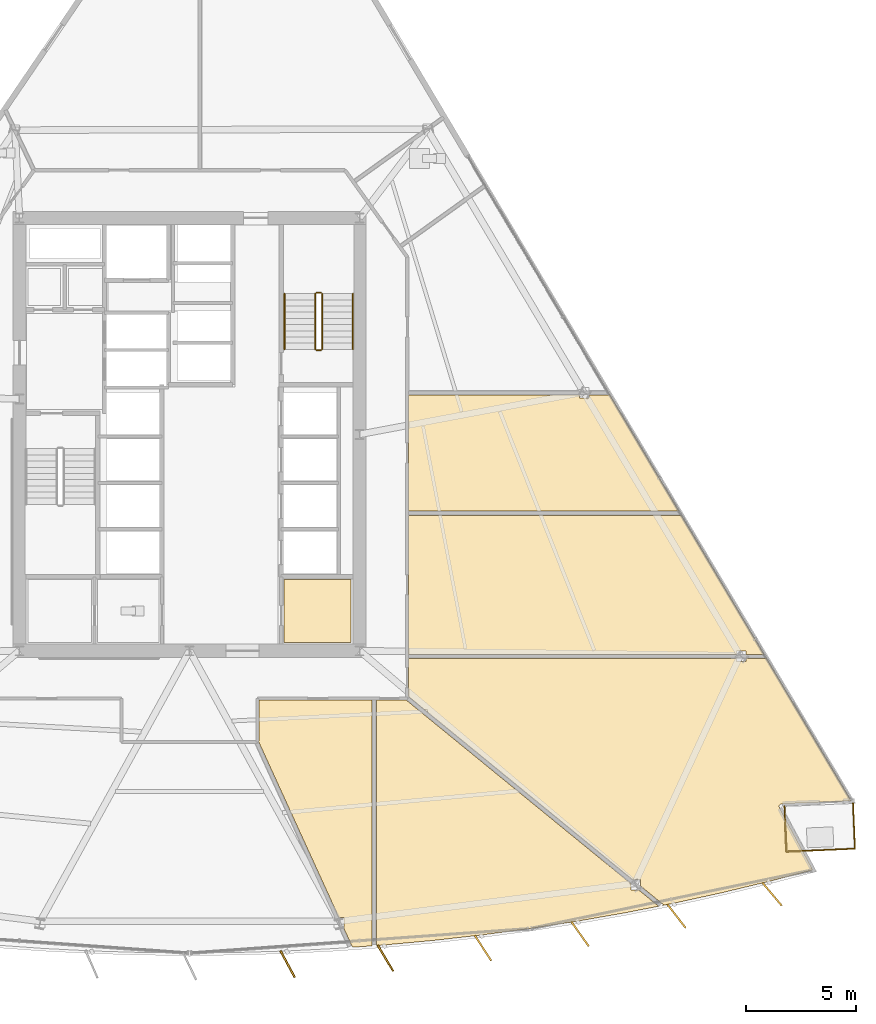
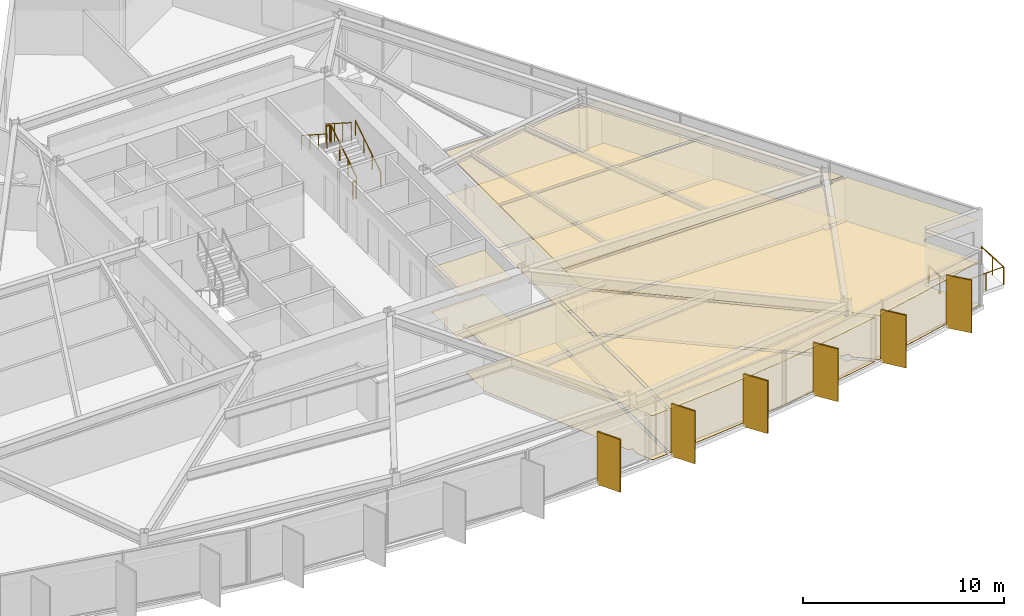
# One storey, part 14 of 16: 12 coverings, 9 railings, 6 shading devices.
"""IFC4 building model written with IfcOpenShell, lengths in metres."""

from ifc_helpers import new_model, si_unit, direction, frame, origin, origin_2d, place, context, subcontext, project, spatial, polyline, rectangle, circle, outline, extrude, material, layer, layer_set, type_object, element, save


model = new_model("IFC4")

# Units and contexts
model_context = context("Model", 3, precision=1e-05, world=origin(), true_north=direction((0.0, 1.0)))
body_context = subcontext(model_context, "Body", "Model", "MODEL_VIEW")
ifc_project = project(units=[si_unit("LENGTHUNIT", "METRE"), si_unit("AREAUNIT", "SQUARE_METRE"), si_unit("VOLUMEUNIT", "CUBIC_METRE"), si_unit("PLANEANGLEUNIT", "RADIAN"), si_unit("MASSUNIT", "GRAM", prefix="KILO")], contexts=[model_context])

# Site, building, storey
site_placement = place(None, origin())
site = spatial("IfcSite", under=ifc_project, at=site_placement, CompositionType="ELEMENT")
building_placement = place(site_placement, origin())
building = spatial("IfcBuilding", under=site, at=building_placement, Name="Savorim Split Tower", CompositionType="ELEMENT")
storey_placement = place(building_placement, frame((0.0, 0.0, 33.60009765625)))
storey = spatial("IfcBuildingStorey", under=building, at=storey_placement, Name="L08", CompositionType="ELEMENT", Elevation=33.60009765625)

# Coverings
ifc_material_1 = material(Name="Mineral Fibre Acoustic Ceiling")
ifc_layer_1 = layer(ifc_material_1, 0.02490234375)
ifc_layer_set_1 = layer_set([ifc_layer_1], Name="COV-CEIL-25")
covering_type_1 = type_object("IfcCoveringType", Name="COV-CEIL-25", PredefinedType="CEILING", material=ifc_layer_set_1)
covering_1_placement = place(storey_placement, frame((0.0, 0.0, 2.669921875)))
element("IfcCovering", 1, at=covering_1_placement, inside=storey, type_object=covering_type_1, Name="L08 Core IT Server Room Acoustic Ceiling", PredefinedType="CEILING", context=body_context, shape_type="SweptSolid", body=[
    extrude(outline(polyline([(4.280029296875, -6.179931640625), (4.280029296875, -9.02001953125), (7.320068359375, -9.02001953125), (7.320068359375, -6.179931640625), (4.280029296875, -6.179931640625)])), origin(), (0.0, 0.0, 1.0), 0.02490234375),
])
covering_2_placement = place(storey_placement, frame((0.0, 0.0, 2.669921875)))
element("IfcCovering", 2, at=covering_2_placement, inside=storey, type_object=covering_type_1, Name="L08 Quiet Study Room Acoustic Ceiling", PredefinedType="CEILING", context=body_context, shape_type="SweptSolid", body=[
    extrude(outline(polyline([(6.980712890625, -21.9482421875), (7.343017578125, -22.741455078125), (7.3798828125, -22.822265625), (8.2705078125, -22.75830078125), (8.2705078125, -11.6201171875), (3.139892578125, -11.6201171875), (3.139892578125, -13.449951171875), (3.139404296875, -13.463623046875), (3.13720703125, -13.477294921875), (3.134033203125, -13.490478515625), (3.12939453125, -13.503662109375), (3.126220703125, -13.510009765625), (6.767578125, -21.482177734375), (6.98779296875, -21.482177734375), (6.98779296875, -21.9482421875), (6.980712890625, -21.9482421875)])), origin(), (0.0, 0.0, 1.0), 0.02490234375),
])
covering_3_placement = place(storey_placement, frame((0.0, 0.0, 2.669921875)))
element("IfcCovering", 3, at=covering_3_placement, inside=storey, type_object=covering_type_1, Name="L08 Co-Working Commons Acoustic Ceiling", PredefinedType="CEILING", context=body_context, shape_type="SweptSolid", body=[
    extrude(outline(polyline([(13.215576171875, -22.267578125), (15.404296875, -21.974853515625), (17.586181640625, -21.63720703125), (19.760986328125, -21.255126953125), (21.239990234375, -20.964111328125), (20.333984375, -20.22412109375), (19.98095703125, -20.22412109375), (19.98095703125, -19.935791015625), (9.827880859375, -11.642333984375), (9.799072265625, -11.618408203125), (9.793701171875, -11.619384765625), (9.780029296875, -11.6201171875), (8.46044921875, -11.6201171875), (8.46044921875, -22.74462890625), (8.82275390625, -22.71875), (11.021484375, -22.515625), (13.215576171875, -22.267578125)])), origin(), (0.0, 0.0, 1.0), 0.02490234375),
])
covering_4_placement = place(storey_placement, frame((0.0, 0.0, 2.669921875)))
element("IfcCovering", 4, at=covering_4_placement, inside=storey, type_object=covering_type_1, Name="L08 Maker Workshop Acoustic Ceiling", PredefinedType="CEILING", context=body_context, shape_type="SweptSolid", body=[
    extrude(outline(polyline([(26.7880859375, -16.331298828125), (26.79931640625, -16.3291015625), (26.810791015625, -16.328125), (29.954345703125, -16.1943359375), (26.1005859375, -9.71337890625), (26.1005859375, -9.74658203125), (25.197265625, -9.74658203125), (25.197265625, -9.884521484375), (24.76123046875, -9.884521484375), (24.76123046875, -9.74658203125), (9.919921875, -9.74658203125), (9.919921875, -11.47216796875), (20.06396484375, -19.758056640625), (20.4169921875, -19.758056640625), (20.4169921875, -20.04638671875), (21.37060546875, -20.825439453125), (21.4443359375, -20.885498046875), (21.4072265625, -20.93115234375), (21.927490234375, -20.82861328125), (24.0849609375, -20.357666015625), (26.232177734375, -19.843017578125), (28.22216796875, -19.322509765625), (26.710205078125, -16.504638671875), (26.705322265625, -16.494384765625), (26.701416015625, -16.4833984375), (26.698486328125, -16.472412109375), (26.69677734375, -16.4609375), (26.696044921875, -16.449462890625), (26.6962890625, -16.437744140625), (26.697998046875, -16.426513671875), (26.70068359375, -16.4150390625), (26.704345703125, -16.404296875), (26.708984375, -16.393798828125), (26.714599609375, -16.383544921875), (26.721435546875, -16.374267578125), (26.72900390625, -16.365478515625), (26.7373046875, -16.357421875), (26.746337890625, -16.350341796875), (26.756103515625, -16.343994140625), (26.766357421875, -16.3388671875), (26.777099609375, -16.33447265625), (26.7880859375, -16.331298828125)])), origin(), (0.0, 0.0, 1.0), 0.02490234375),
])
covering_5_placement = place(storey_placement, frame((0.0, 0.0, 2.669921875)))
element("IfcCovering", 5, at=covering_5_placement, inside=storey, type_object=covering_type_1, Name="L08 Co-Working Commons Acoustic Ceiling", PredefinedType="CEILING", context=body_context, shape_type="SweptSolid", body=[
    extrude(outline(polyline([(25.197265625, -9.41845703125), (25.197265625, -9.556396484375), (26.005615234375, -9.556396484375), (26.00732421875, -9.556396484375), (22.26611328125, -3.264892578125), (9.919921875, -3.264892578125), (9.919921875, -9.556396484375), (24.76123046875, -9.556396484375), (24.76123046875, -9.41845703125), (25.197265625, -9.41845703125)])), origin(), (0.0, 0.0, 1.0), 0.02490234375),
])
covering_6_placement = place(storey_placement, frame((0.0, 0.0, 2.669921875)))
element("IfcCovering", 6, at=covering_6_placement, inside=storey, type_object=covering_type_1, Name="L08 Maker Workshop Acoustic Ceiling", PredefinedType="CEILING", context=body_context, shape_type="SweptSolid", body=[
    extrude(outline(polyline([(17.66162109375, 2.05517578125), (17.66162109375, 2.193115234375), (9.919921875, 2.193115234375), (9.919921875, -3.07470703125), (22.153076171875, -3.07470703125), (19.0009765625, 2.226318359375), (19.0009765625, 2.193115234375), (18.09765625, 2.193115234375), (18.09765625, 2.05517578125), (17.66162109375, 2.05517578125)])), origin(), (0.0, 0.0, 1.0), 0.02490234375),
])
ifc_material_2 = material(Name="Porcelain Stoneware Flooring", Category="masonry")
ifc_layer_2 = layer(ifc_material_2, 0.02001953125)
ifc_layer_set_2 = layer_set([ifc_layer_2], Name="COV-FLOR-20")
covering_type_2 = type_object("IfcCoveringType", Name="COV-FLOR-20", PredefinedType="FLOORING", material=ifc_layer_set_2)
covering_7_placement = place(storey_placement, origin())
element("IfcCovering", 7, at=covering_7_placement, inside=storey, type_object=covering_type_2, Name="L08 Core IT Server Room Porcelain Flooring", PredefinedType="FLOORING", context=body_context, shape_type="SweptSolid", body=[
    extrude(outline(polyline([(4.280029296875, -6.179931640625), (4.280029296875, -9.02001953125), (7.320068359375, -9.02001953125), (7.320068359375, -6.179931640625), (4.280029296875, -6.179931640625)])), origin(), (0.0, 0.0, 1.0), 0.02001953125),
])
covering_8_placement = place(storey_placement, origin())
element("IfcCovering", 8, at=covering_8_placement, inside=storey, type_object=covering_type_2, Name="L08 Quiet Study Room Porcelain Flooring", PredefinedType="FLOORING", context=body_context, shape_type="SweptSolid", body=[
    extrude(outline(polyline([(6.980712890625, -21.9482421875), (7.343017578125, -22.741455078125), (7.3798828125, -22.822265625), (8.2705078125, -22.75830078125), (8.2705078125, -11.6201171875), (3.139892578125, -11.6201171875), (3.139892578125, -13.449951171875), (3.139404296875, -13.463623046875), (3.13720703125, -13.477294921875), (3.134033203125, -13.490478515625), (3.12939453125, -13.503662109375), (3.126220703125, -13.510009765625), (6.767578125, -21.482177734375), (6.98779296875, -21.482177734375), (6.98779296875, -21.9482421875), (6.980712890625, -21.9482421875)])), origin(), (0.0, 0.0, 1.0), 0.02001953125),
])
covering_9_placement = place(storey_placement, origin())
element("IfcCovering", 9, at=covering_9_placement, inside=storey, type_object=covering_type_2, Name="L08 Co-Working Commons Porcelain Flooring", PredefinedType="FLOORING", context=body_context, shape_type="SweptSolid", body=[
    extrude(outline(polyline([(13.215576171875, -22.267578125), (15.404296875, -21.974853515625), (17.586181640625, -21.63720703125), (19.760986328125, -21.255126953125), (21.239990234375, -20.964111328125), (20.333984375, -20.22412109375), (19.98095703125, -20.22412109375), (19.98095703125, -19.935791015625), (9.827880859375, -11.642333984375), (9.799072265625, -11.618408203125), (9.793701171875, -11.619384765625), (9.780029296875, -11.6201171875), (8.46044921875, -11.6201171875), (8.46044921875, -22.74462890625), (8.82275390625, -22.71875), (11.021484375, -22.515625), (13.215576171875, -22.267578125)])), origin(), (0.0, 0.0, 1.0), 0.02001953125),
])
covering_10_placement = place(storey_placement, origin())
element("IfcCovering", 10, at=covering_10_placement, inside=storey, type_object=covering_type_2, Name="L08 Maker Workshop Porcelain Flooring", PredefinedType="FLOORING", context=body_context, shape_type="SweptSolid", body=[
    extrude(outline(polyline([(26.7880859375, -16.331298828125), (26.79931640625, -16.3291015625), (26.810791015625, -16.328125), (29.954345703125, -16.1943359375), (26.1005859375, -9.71337890625), (26.1005859375, -9.74658203125), (25.197265625, -9.74658203125), (25.197265625, -9.884521484375), (24.76123046875, -9.884521484375), (24.76123046875, -9.74658203125), (9.919921875, -9.74658203125), (9.919921875, -11.47216796875), (20.06396484375, -19.758056640625), (20.4169921875, -19.758056640625), (20.4169921875, -20.04638671875), (21.37060546875, -20.825439453125), (21.4443359375, -20.885498046875), (21.4072265625, -20.93115234375), (21.927490234375, -20.82861328125), (24.0849609375, -20.357666015625), (26.232177734375, -19.843017578125), (28.22216796875, -19.322509765625), (26.710205078125, -16.504638671875), (26.705322265625, -16.494384765625), (26.701416015625, -16.4833984375), (26.698486328125, -16.472412109375), (26.69677734375, -16.4609375), (26.696044921875, -16.449462890625), (26.6962890625, -16.437744140625), (26.697998046875, -16.426513671875), (26.70068359375, -16.4150390625), (26.704345703125, -16.404296875), (26.708984375, -16.393798828125), (26.714599609375, -16.383544921875), (26.721435546875, -16.374267578125), (26.72900390625, -16.365478515625), (26.7373046875, -16.357421875), (26.746337890625, -16.350341796875), (26.756103515625, -16.343994140625), (26.766357421875, -16.3388671875), (26.777099609375, -16.33447265625), (26.7880859375, -16.331298828125)])), origin(), (0.0, 0.0, 1.0), 0.02001953125),
])
covering_11_placement = place(storey_placement, origin())
element("IfcCovering", 11, at=covering_11_placement, inside=storey, type_object=covering_type_2, Name="L08 Co-Working Commons Porcelain Flooring", PredefinedType="FLOORING", context=body_context, shape_type="SweptSolid", body=[
    extrude(outline(polyline([(25.197265625, -9.41845703125), (25.197265625, -9.556396484375), (26.005615234375, -9.556396484375), (26.00732421875, -9.556396484375), (22.26611328125, -3.264892578125), (9.919921875, -3.264892578125), (9.919921875, -9.556396484375), (24.76123046875, -9.556396484375), (24.76123046875, -9.41845703125), (25.197265625, -9.41845703125)])), origin(), (0.0, 0.0, 1.0), 0.02001953125),
])
covering_12_placement = place(storey_placement, origin())
element("IfcCovering", 12, at=covering_12_placement, inside=storey, type_object=covering_type_2, Name="L08 Maker Workshop Porcelain Flooring", PredefinedType="FLOORING", context=body_context, shape_type="SweptSolid", body=[
    extrude(outline(polyline([(17.66162109375, 2.05517578125), (17.66162109375, 2.193115234375), (9.919921875, 2.193115234375), (9.919921875, -3.07470703125), (22.153076171875, -3.07470703125), (19.0009765625, 2.226318359375), (19.0009765625, 2.193115234375), (18.09765625, 2.193115234375), (18.09765625, 2.05517578125), (17.66162109375, 2.05517578125)])), origin(), (0.0, 0.0, 1.0), 0.02001953125),
])

# Railings
ifc_material_3 = material(Name="Galvanised Painted Steel Balustrade", Category="steel")
railing_type_1 = type_object("IfcRailingType", Name="RLG-BAL-1100", PredefinedType="BALUSTRADE", material=ifc_material_3)
railing_1_placement = place(storey_placement, frame((30.040283203125, -16.310791015625, 0.0)))
element("IfcRailing", 13, at=railing_1_placement, inside=storey, type_object=railing_type_1, Name="L08 Tree Balcony Guardrail SE-1", PredefinedType="BALUSTRADE", context=body_context, shape_type="SweptSolid", body=[
    extrude(circle(Radius=0.02392578125, at=origin_2d()), frame((0.0, 0.0, 1.076171875), z_axis=(0.042517246, -0.999095733047, 0.0), x_axis=(0.999095733047, 0.042517246, 0.0)), (0.0, 0.0, 1.0), 2.050048828125),
    extrude(circle(Radius=0.02099609375, at=origin_2d()), origin(), (0.0, 0.0, 1.0), 1.052001953125),
    extrude(circle(Radius=0.02099609375, at=origin_2d()), frame((0.04345703125, -1.02392578125, 0.0)), (0.0, 0.0, 1.0), 1.052001953125),
    extrude(circle(Radius=0.02099609375, at=origin_2d()), frame((0.087158203125, -2.048095703125, 0.0)), (0.0, 0.0, 1.0), 1.052001953125),
])
railing_2_placement = place(storey_placement, frame((30.12744140625, -18.35888671875, 0.0)))
element("IfcRailing", 14, at=railing_2_placement, inside=storey, type_object=railing_type_1, Name="L08 Tree Balcony Guardrail SE-2", PredefinedType="BALUSTRADE", context=body_context, shape_type="SweptSolid", body=[
    extrude(circle(Radius=0.02392578125, at=origin_2d()), frame((0.0, 0.0, 1.076171875), z_axis=(-0.99909605371, -0.042509710189, 0.0), x_axis=(0.042509710189, -0.99909605371, 0.0)), (0.0, 0.0, 1.0), 3.107177734375),
    extrude(circle(Radius=0.02099609375, at=origin_2d()), origin(), (0.0, 0.0, 1.0), 1.052001953125),
    extrude(circle(Radius=0.02099609375, at=origin_2d()), frame((-1.03466796875, -0.0439453125, 0.0)), (0.0, 0.0, 1.0), 1.052001953125),
    extrude(circle(Radius=0.02099609375, at=origin_2d()), frame((-2.069580078125, -0.088134765625, 0.0)), (0.0, 0.0, 1.0), 1.052001953125),
    extrude(circle(Radius=0.02099609375, at=origin_2d()), frame((-3.104248046875, -0.132080078125, 0.0)), (0.0, 0.0, 1.0), 1.052001953125),
])
railing_3_placement = place(storey_placement, frame((27.023193359375, -18.490966796875, 0.0)))
element("IfcRailing", 15, at=railing_3_placement, inside=storey, type_object=railing_type_1, Name="L08 Tree Balcony Guardrail SE-3", PredefinedType="BALUSTRADE", context=body_context, shape_type="SweptSolid", body=[
    extrude(circle(Radius=0.02392578125, at=origin_2d()), frame((0.0, 0.0, 1.076171875), z_axis=(-0.042636125732, 0.999090666948, 0.0), x_axis=(-0.999090666948, -0.042636125732, 0.0)), (0.0, 0.0, 1.0), 2.050048828125),
    extrude(circle(Radius=0.02099609375, at=origin_2d()), origin(), (0.0, 0.0, 1.0), 1.052001953125),
    extrude(circle(Radius=0.02099609375, at=origin_2d()), frame((-0.043701171875, 1.02392578125, 0.0)), (0.0, 0.0, 1.0), 1.052001953125),
    extrude(circle(Radius=0.02099609375, at=origin_2d()), frame((-0.08740234375, 2.048095703125, 0.0)), (0.0, 0.0, 1.0), 1.052001953125),
])
railing_type_2 = type_object("IfcRailingType", Name="RLG-HR-900", PredefinedType="HANDRAIL", material=ifc_material_3)
railing_4_placement = place(storey_placement, frame((7.39990234375, 4.25, 0.179931640625)))
element("IfcRailing", 16, at=railing_4_placement, inside=storey, type_object=railing_type_2, Name="L08 ST-2 stair handrail 1", PredefinedType="HANDRAIL", context=body_context, shape_type="SweptSolid", body=[
    extrude(circle(Radius=0.02392578125, at=origin_2d()), frame((0.0, 0.0, 0.8759765625), z_axis=(0.0, 0.841199657755, 0.540724639528), x_axis=(-1.0, 0.0, 0.0)), (0.0, 0.0, 1.0), 2.995849609375),
    extrude(circle(Radius=0.02099609375, at=origin_2d()), origin(), (0.0, 0.0, 1.0), 0.851806640625),
    extrude(circle(Radius=0.02099609375, at=origin_2d()), frame((0.0, 0.840087890625, 0.5400390625)), (0.0, 0.0, 1.0), 0.851806640625),
    extrude(circle(Radius=0.02099609375, at=origin_2d()), frame((0.0, 1.679931640625, 1.079833984375)), (0.0, 0.0, 1.0), 0.851806640625),
    extrude(circle(Radius=0.02099609375, at=origin_2d()), frame((0.0, 2.52001953125, 1.619873046875)), (0.0, 0.0, 1.0), 0.851806640625),
])
railing_5_placement = place(storey_placement, frame((4.300048828125, 6.77001953125, 1.97998046875)))
element("IfcRailing", 17, at=railing_5_placement, inside=storey, type_object=railing_type_2, Name="L08 ST-2 stair handrail 2", PredefinedType="HANDRAIL", context=body_context, shape_type="SweptSolid", body=[
    extrude(circle(Radius=0.02392578125, at=origin_2d()), frame((0.0, 0.0, 0.8759765625), z_axis=(0.0, -0.841199657755, 0.540724639528), x_axis=(1.0, 0.0, 0.0)), (0.0, 0.0, 1.0), 2.995849609375),
    extrude(circle(Radius=0.02099609375, at=origin_2d()), origin(), (0.0, 0.0, 1.0), 0.851806640625),
    extrude(circle(Radius=0.02099609375, at=origin_2d()), frame((0.0, -0.840087890625, 0.5400390625)), (0.0, 0.0, 1.0), 0.851806640625),
    extrude(circle(Radius=0.02099609375, at=origin_2d()), frame((0.0, -1.679931640625, 1.079833984375)), (0.0, 0.0, 1.0), 0.851806640625),
    extrude(circle(Radius=0.02099609375, at=origin_2d()), frame((0.0, -2.52001953125, 1.619873046875)), (0.0, 0.0, 1.0), 0.851806640625),
])
railing_type_3 = type_object("IfcRailingType", Name="RLG-STG-1100", PredefinedType="BALUSTRADE", material=ifc_material_3)
railing_6_placement = place(storey_placement, frame((6.0, 4.25, 0.179931640625)))
element("IfcRailing", 18, at=railing_6_placement, inside=storey, type_object=railing_type_3, Name="L08 ST-2 stair guard 1", PredefinedType="BALUSTRADE", context=body_context, shape_type="SweptSolid", body=[
    extrude(circle(Radius=0.02392578125, at=origin_2d()), frame((0.0, 0.0, 1.076171875), z_axis=(0.0, 0.841199657755, 0.540724639528), x_axis=(-1.0, 0.0, 0.0)), (0.0, 0.0, 1.0), 2.995849609375),
    extrude(circle(Radius=0.02099609375, at=origin_2d()), origin(), (0.0, 0.0, 1.0), 1.052001953125),
    extrude(circle(Radius=0.02099609375, at=origin_2d()), frame((0.0, 0.840087890625, 0.5400390625)), (0.0, 0.0, 1.0), 1.052001953125),
    extrude(circle(Radius=0.02099609375, at=origin_2d()), frame((0.0, 1.679931640625, 1.079833984375)), (0.0, 0.0, 1.0), 1.052001953125),
    extrude(circle(Radius=0.02099609375, at=origin_2d()), frame((0.0, 2.52001953125, 1.619873046875)), (0.0, 0.0, 1.0), 1.052001953125),
])
railing_7_placement = place(storey_placement, frame((5.949951171875, 6.820068359375, 1.7998046875)))
element("IfcRailing", 19, at=railing_7_placement, inside=storey, type_object=railing_type_3, Name="L08 ST-2 stair guard 2", PredefinedType="BALUSTRADE", context=body_context, shape_type="SweptSolid", body=[
    extrude(circle(Radius=0.02392578125, at=origin_2d()), frame((0.0, 0.0, 1.076171875), z_axis=(-1.0, 0.0, 0.0), x_axis=(0.0, -1.0, 0.0)), (0.0, 0.0, 1.0), 0.199951171875),
    extrude(circle(Radius=0.02099609375, at=origin_2d()), origin(), (0.0, 0.0, 1.0), 1.052001953125),
    extrude(circle(Radius=0.02099609375, at=origin_2d()), frame((-0.199951171875, 0.0, 0.0)), (0.0, 0.0, 1.0), 1.052001953125),
])
railing_8_placement = place(storey_placement, frame((5.699951171875, 6.77001953125, 1.97998046875)))
element("IfcRailing", 20, at=railing_8_placement, inside=storey, type_object=railing_type_3, Name="L08 ST-2 stair guard 3", PredefinedType="BALUSTRADE", context=body_context, shape_type="SweptSolid", body=[
    extrude(circle(Radius=0.02392578125, at=origin_2d()), frame((0.0, 0.0, 1.076171875), z_axis=(0.0, -0.841199657755, 0.540724639528), x_axis=(1.0, 0.0, 0.0)), (0.0, 0.0, 1.0), 2.995849609375),
    extrude(circle(Radius=0.02099609375, at=origin_2d()), origin(), (0.0, 0.0, 1.0), 1.052001953125),
    extrude(circle(Radius=0.02099609375, at=origin_2d()), frame((0.0, -0.840087890625, 0.5400390625)), (0.0, 0.0, 1.0), 1.052001953125),
    extrude(circle(Radius=0.02099609375, at=origin_2d()), frame((0.0, -1.679931640625, 1.079833984375)), (0.0, 0.0, 1.0), 1.052001953125),
    extrude(circle(Radius=0.02099609375, at=origin_2d()), frame((0.0, -2.52001953125, 1.619873046875)), (0.0, 0.0, 1.0), 1.052001953125),
])
railing_9_placement = place(storey_placement, frame((5.949951171875, 4.199951171875, 0.0)))
element("IfcRailing", 21, at=railing_9_placement, inside=storey, type_object=railing_type_3, Name="L08 ST-2 stair guard 4", PredefinedType="BALUSTRADE", context=body_context, shape_type="SweptSolid", body=[
    extrude(circle(Radius=0.02392578125, at=origin_2d()), frame((0.0, 0.0, 1.076171875), z_axis=(-1.0, 0.0, 0.0), x_axis=(0.0, -1.0, 0.0)), (0.0, 0.0, 1.0), 0.199951171875),
    extrude(circle(Radius=0.02099609375, at=origin_2d()), origin(), (0.0, 0.0, 1.0), 1.052001953125),
    extrude(circle(Radius=0.02099609375, at=origin_2d()), frame((-0.199951171875, 0.0, 0.0)), (0.0, 0.0, 1.0), 1.052001953125),
])

# Shading devices
ifc_material_4 = material(Name="Terracotta Ceramic-Coated Aluminium Fin", Category="masonry")
shading_device_type = type_object("IfcShadingDeviceType", Name="SHD-FIN-1360", PredefinedType="USERDEFINED", material=ifc_material_4)
for number, where, z_axis, x_axis, name in (
    (22, (4.439453125, -23.585205078125, -0.2001953125), (0.0, 0.0, 1.0), (0.474778051978, -0.880105562623, 0.0), "L08 Sawtooth Shading Fin 08"),
    (23, (8.871337890625, -23.312744140625, -0.2001953125), (0.0, 0.0, 1.0), (0.510391336723, -0.859942255851, 0.0), "L08 Sawtooth Shading Fin 09"),
    (24, (13.28857421875, -22.859130859375, -0.2001953125), (0.0, 0.0, 1.0), (0.545148321708, -0.838339613366, 0.0), "L08 Sawtooth Shading Fin 10"),
    (25, (17.68359375, -22.225341796875, -0.2001953125), (0.0, 0.0, 1.0), (0.578993757737, -0.815331974414, 0.0), "L08 Sawtooth Shading Fin 11"),
    (26, (22.048583984375, -21.412109375, -0.2001953125), (0.0, 0.0, 1.0), (0.611868076908, -0.790959832394, 0.0), "L08 Sawtooth Shading Fin 12"),
    (27, (26.377197265625, -20.4208984375, -0.2001953125), (0.0, 0.0, 1.0), (0.643719022682, -0.765261928909, 0.0), "L08 Sawtooth Shading Fin 13"),
):
    element("IfcShadingDevice", number, at=place(storey_placement, frame(where, z_axis=z_axis, x_axis=x_axis)), inside=storey, type_object=shading_device_type, Name=name, ObjectType="FIN", PredefinedType="USERDEFINED", context=body_context, shape_type="SweptSolid", body=[
        extrude(rectangle(XDim=1.360107421875, YDim=0.080078125, at=origin_2d()), origin(), (0.0, 0.0, 1.0), 3.199951171875),
    ])

save(model, "model.ifc")
